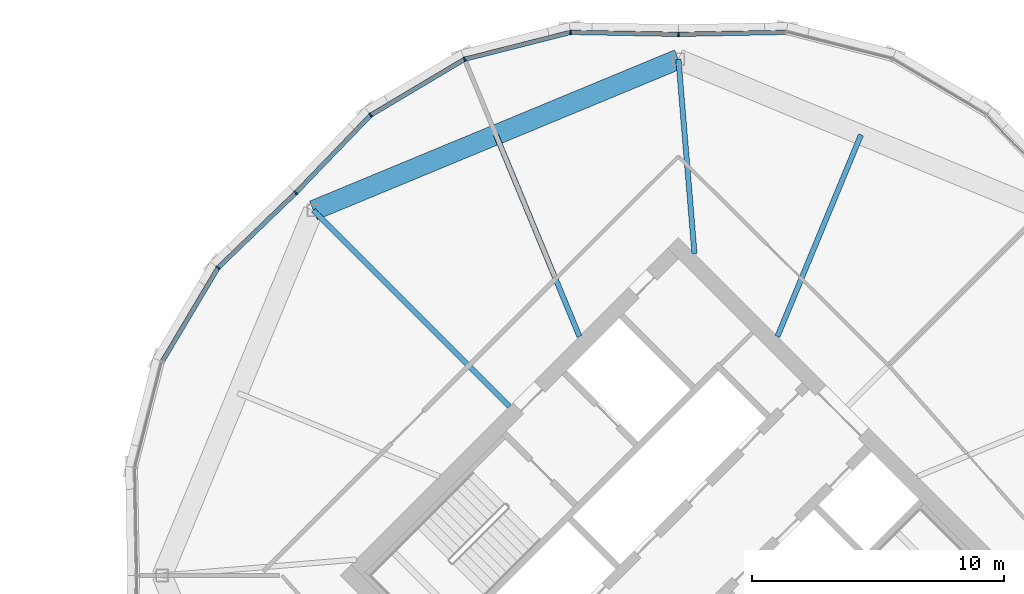
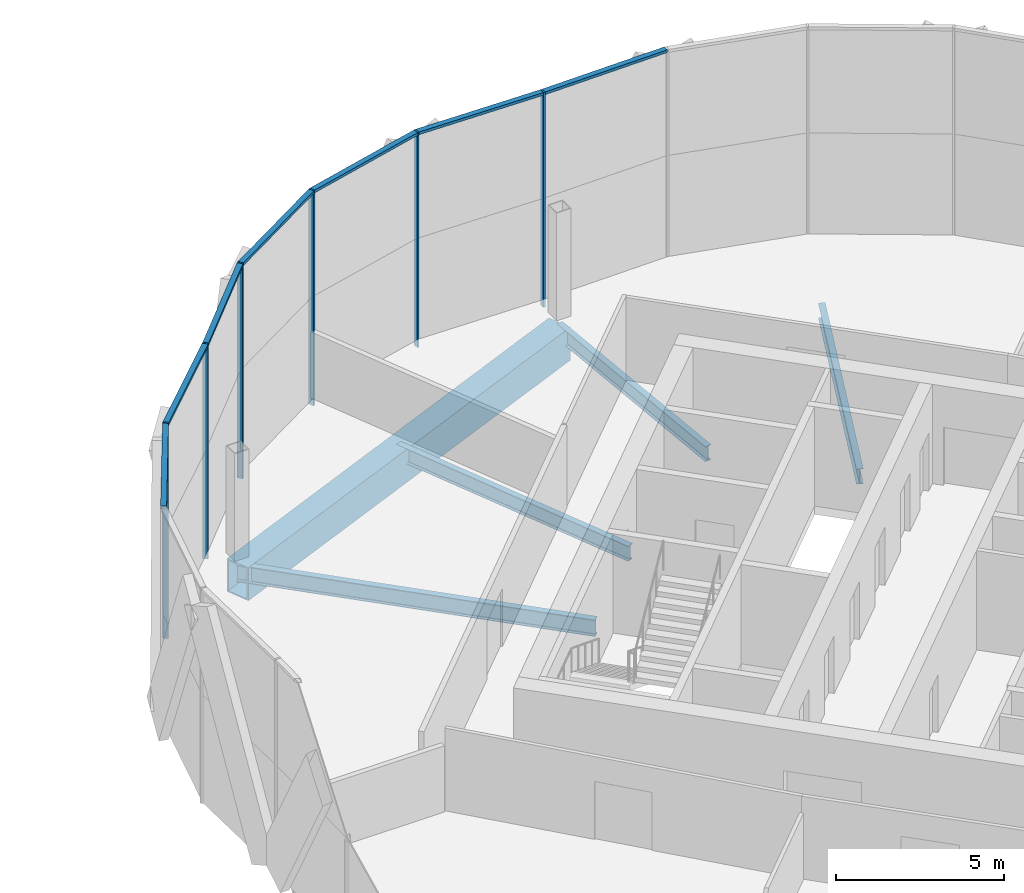
# One storey, part 14 of 27: 13 members, 5 beams, 3 elements without a shape of their own.
"""IFC4 building model written with IfcOpenShell, lengths in metres."""

from ifc_helpers import new_model, si_unit, direction, frame, origin, origin_2d, place, context, subcontext, project, spatial, rectangle, hollow_rectangle, i_section, extrude, material, material_profile, profile_set, type_object, element, aggregate, save


model = new_model("IFC4")

# Units and contexts
model_context = context("Model", 3, precision=1e-05, world=origin(), true_north=direction((0.0, 1.0)))
body_context = subcontext(model_context, "Body", "Model", "MODEL_VIEW")
ifc_project = project(units=[si_unit("LENGTHUNIT", "METRE"), si_unit("AREAUNIT", "SQUARE_METRE"), si_unit("VOLUMEUNIT", "CUBIC_METRE"), si_unit("PLANEANGLEUNIT", "RADIAN"), si_unit("MASSUNIT", "GRAM", prefix="KILO")], contexts=[model_context])

# Site, building, storey
site_placement = place(None, origin())
site = spatial("IfcSite", under=ifc_project, at=site_placement, CompositionType="ELEMENT")
building_placement = place(site_placement, origin())
building = spatial("IfcBuilding", under=site, at=building_placement, Name="Ogive Gate Towers", CompositionType="ELEMENT")
storey_placement = place(building_placement, frame((0.0, 0.0, 189.0)))
storey = spatial("IfcBuildingStorey", under=building, at=storey_placement, Name="L45", CompositionType="ELEMENT", Elevation=189.0)

# Beams
ifc_material_1 = material(Name="Steel SM460", Category="steel")
ifc_material_profile_1 = material_profile(ifc_material_1, hollow_rectangle(XDim=0.800048828125, YDim=1.199951171875, WallThickness=0.050048828125, at=origin_2d()), Name="BX 1200x800x50")
ifc_profile_set_1 = profile_set([ifc_material_profile_1], Name="Steel SM460")
beam_type_1 = type_object("IfcBeamType", Name="Edge girder BX 1200x800x50", PredefinedType="BEAM", material=ifc_profile_set_1)
beam_1_placement = place(storey_placement, frame((36.0, 20.52001953125, -0.89990234375), z_axis=(-0.923877006731, -0.38268953008, 0.0), x_axis=(0.38268953008, -0.923877006731, 0.0)))
element("IfcBeam", 1, at=beam_1_placement, inside=storey, type_object=beam_type_1, Name="T2/L45/SBM022", PredefinedType="BEAM", context=body_context, shape_type="SweptSolid", body=[
    extrude(hollow_rectangle(XDim=0.800048828125, YDim=1.199951171875, WallThickness=0.050048828125, at=origin_2d()), origin(), (0.0, 0.0, 1.0), 15.705322265625),
])
ifc_material_2 = material(Name="Steel SM355", Category="steel")
ifc_material_profile_2 = material_profile(ifc_material_2, i_section(OverallWidth=0.2099609375, OverallDepth=0.550048828125, WebThickness=0.010986328125, FlangeThickness=0.01708984375, FilletRadius=0.02392578125, at=origin_2d()), Name="IPE 550")
ifc_profile_set_2 = profile_set([ifc_material_profile_2], Name="Steel SM355")
beam_type_2 = type_object("IfcBeamType", Name="Radial floor beam IPE 550", PredefinedType="BEAM", material=ifc_profile_set_2)
beam_2_placement = place(storey_placement, frame((39.93505859375, 9.5, -0.574951171875), z_axis=(0.382678218882, 0.92388169199, 0.0), x_axis=(-0.92388169199, 0.382678218882, 0.0)))
element("IfcBeam", 2, at=beam_2_placement, inside=storey, type_object=beam_type_2, Name="T2/L45/SBM010", PredefinedType="BEAM", context=body_context, shape_type="SweptSolid", body=[
    extrude(i_section(OverallWidth=0.2099609375, OverallDepth=0.550048828125, WebThickness=0.010986328125, FlangeThickness=0.01708984375, FilletRadius=0.02392578125, at=origin_2d()), origin(), (0.0, 0.0, 1.0), 8.67529296875),
])
beam_3_placement = place(storey_placement, frame((36.636474609375, 12.798583984375, -0.574951171875), z_axis=(-0.082150949336, 0.996619898218, 0.0), x_axis=(-0.996619898218, -0.082150949336, 0.0)))
element("IfcBeam", 3, at=beam_3_placement, inside=storey, type_object=beam_type_2, Name="T2/L45/SBM011", PredefinedType="BEAM", context=body_context, shape_type="SweptSolid", body=[
    extrude(i_section(OverallWidth=0.2099609375, OverallDepth=0.550048828125, WebThickness=0.010986328125, FlangeThickness=0.01708984375, FilletRadius=0.02392578125, at=origin_2d()), origin(), (0.0, 0.0, 1.0), 7.74755859375),
])
beam_4_placement = place(storey_placement, frame((32.06494140625, 9.5, -0.574951171875), z_axis=(-0.382678218882, 0.92388169199, 0.0), x_axis=(-0.92388169199, -0.382678218882, 0.0)))
element("IfcBeam", 4, at=beam_4_placement, inside=storey, type_object=beam_type_2, Name="T2/L45/SBM012", PredefinedType="BEAM", context=body_context, shape_type="SweptSolid", body=[
    extrude(i_section(OverallWidth=0.2099609375, OverallDepth=0.550048828125, WebThickness=0.010986328125, FlangeThickness=0.01708984375, FilletRadius=0.02392578125, at=origin_2d()), origin(), (0.0, 0.0, 1.0), 8.67529296875),
])
ifc_material_profile_3 = material_profile(ifc_material_2, i_section(OverallWidth=0.219970703125, OverallDepth=0.60009765625, WebThickness=0.011962890625, FlangeThickness=0.01904296875, FilletRadius=0.02392578125, at=origin_2d()), Name="IPE 600")
ifc_profile_set_3 = profile_set([ifc_material_profile_3], Name="Steel SM355")
beam_type_3 = type_object("IfcBeamType", Name="Radial floor beam IPE 600", PredefinedType="BEAM", material=ifc_profile_set_3)
beam_5_placement = place(storey_placement, frame((29.282470703125, 6.717529296875, -0.60009765625), z_axis=(-0.707106781187, 0.707106781187, 0.0), x_axis=(-0.707106781187, -0.707106781187, 0.0)))
element("IfcBeam", 5, at=beam_5_placement, inside=storey, type_object=beam_type_3, Name="T2/L45/SBM013", PredefinedType="BEAM", context=body_context, shape_type="SweptSolid", body=[
    extrude(i_section(OverallWidth=0.219970703125, OverallDepth=0.60009765625, WebThickness=0.011962890625, FlangeThickness=0.01904296875, FilletRadius=0.02392578125, at=origin_2d()), origin(), (0.0, 0.0, 1.0), 11.019775390625),
])

# Curtain wall, member
ifc_material_3 = material(Name="Pale metal aluminium", Category="aluminium")
curtain_wall_type = type_object("IfcCurtainWallType", Name="Tower unitised wall, high zone", PredefinedType="NOTDEFINED", material=ifc_material_3)
curtain_wall_1_placement = place(storey_placement, origin())
curtain_wall_1 = element("IfcCurtainWall", 6, at=curtain_wall_1_placement, inside=storey, type_object=curtain_wall_type, Name="CW2 T2 ECW02", PredefinedType="NOTDEFINED")
ifc_material_profile_4 = material_profile(ifc_material_3, rectangle(XDim=0.179931640625, YDim=0.06005859375, at=origin_2d()), Name="60 x 180 aluminium box")
ifc_profile_set_4 = profile_set([ifc_material_profile_4], Name="Pale metal aluminium")
member_type_1 = type_object("IfcMemberType", Name="Tower unitised wall, high zone mullion 60 x 180", PredefinedType="MULLION", material=ifc_profile_set_4)
member_1_placement = place(storey_placement, frame((36.000244140625, 21.510009765625, -0.300048828125), z_axis=(0.0, 0.0, 1.0), x_axis=(-0.018412183135, 0.999830481388, 0.0)))
member_1 = element("IfcMember", 7, at=member_1_placement, type_object=member_type_1, Name="CW2 mullion", PredefinedType="MULLION", context=body_context, shape_type="SweptSolid", body=[
    extrude(rectangle(XDim=0.179931640625, YDim=0.06005859375, at=origin_2d()), origin(), (0.0, 0.0, 1.0), 7.800048828125),
])

# Curtain wall, members
curtain_wall_2_placement = place(storey_placement, origin())
curtain_wall_2 = element("IfcCurtainWall", 8, at=curtain_wall_2_placement, inside=storey, type_object=curtain_wall_type, Name="CW2 T2 ECW03", PredefinedType="NOTDEFINED")
member_2_placement = place(storey_placement, frame((31.713134765625, 21.589111328125, -0.300048828125), z_axis=(0.0, 0.0, 1.0), x_axis=(-0.114746434496, 0.993394813642, 0.0)))
member_2 = element("IfcMember", 9, at=member_2_placement, type_object=member_type_1, Name="CW2 mullion", PredefinedType="MULLION", context=body_context, shape_type="SweptSolid", body=[
    extrude(rectangle(XDim=0.179931640625, YDim=0.06005859375, at=origin_2d()), origin(), (0.0, 0.0, 1.0), 7.800048828125),
])
member_3_placement = place(storey_placement, frame((27.500244140625, 20.5205078125, -0.300048828125), z_axis=(0.0, 0.0, 1.0), x_axis=(-0.382683432365, 0.923879532511, 0.0)))
member_3 = element("IfcMember", 10, at=member_3_placement, type_object=member_type_1, Name="CW2 mullion", PredefinedType="MULLION", context=body_context, shape_type="SweptSolid", body=[
    extrude(rectangle(XDim=0.179931640625, YDim=0.06005859375, at=origin_2d()), origin(), (0.0, 0.0, 1.0), 7.800048828125),
])
member_4_placement = place(storey_placement, frame((23.765380859375, 18.297119140625, -0.300048828125), z_axis=(0.0, 0.0, 1.0), x_axis=(-0.621298227173, 0.783574191071, 0.0)))
member_4 = element("IfcMember", 11, at=member_4_placement, type_object=member_type_1, Name="CW2 mullion", PredefinedType="MULLION", context=body_context, shape_type="SweptSolid", body=[
    extrude(rectangle(XDim=0.179931640625, YDim=0.06005859375, at=origin_2d()), origin(), (0.0, 0.0, 1.0), 7.800048828125),
])
member_5_placement = place(storey_placement, frame((20.790283203125, 15.2099609375, -0.300048828125), z_axis=(0.0, 0.0, 1.0), x_axis=(-0.720030516576, 0.693942400491, 0.0)))
member_5 = element("IfcMember", 12, at=member_5_placement, type_object=member_type_1, Name="CW2 mullion", PredefinedType="MULLION", context=body_context, shape_type="SweptSolid", body=[
    extrude(rectangle(XDim=0.179931640625, YDim=0.06005859375, at=origin_2d()), origin(), (0.0, 0.0, 1.0), 7.800048828125),
])

# Curtain wall, member
curtain_wall_3_placement = place(storey_placement, origin())
curtain_wall_3 = element("IfcCurtainWall", 13, at=curtain_wall_3_placement, inside=storey, type_object=curtain_wall_type, Name="CW2 T2 ECW04", PredefinedType="NOTDEFINED")
member_6_placement = place(storey_placement, frame((17.702880859375, 12.234619140625, -0.300048828125), z_axis=(0.0, 0.0, 1.0), x_axis=(-0.783574191071, 0.621298227173, 0.0)))
member_6 = element("IfcMember", 14, at=member_6_placement, type_object=member_type_1, Name="CW2 mullion", PredefinedType="MULLION", context=body_context, shape_type="SweptSolid", body=[
    extrude(rectangle(XDim=0.179931640625, YDim=0.06005859375, at=origin_2d()), origin(), (0.0, 0.0, 1.0), 7.800048828125),
])

# Member
ifc_material_profile_5 = material_profile(ifc_material_3, rectangle(XDim=0.179931640625, YDim=0.10009765625, at=origin_2d()), Name="100 x 180 aluminium box")
ifc_profile_set_5 = profile_set([ifc_material_profile_5], Name="Pale metal aluminium")
member_type_2 = type_object("IfcMemberType", Name="Tower unitised wall, high zone transom 100 x 180", PredefinedType="USERDEFINED", material=ifc_profile_set_5)
member_7_placement = place(storey_placement, frame((40.25830078125, 21.58837890625, 7.449951171875), z_axis=(-0.999830392365, -0.018417016697, 0.0), x_axis=(0.018417016697, -0.999830392365, 0.0)))
member_7 = element("IfcMember", 15, at=member_7_placement, type_object=member_type_2, Name="CW2 transom", ObjectType="TRANSOM", PredefinedType="USERDEFINED", context=body_context, shape_type="SweptSolid", body=[
    extrude(rectangle(XDim=0.179931640625, YDim=0.10009765625, at=origin_2d()), origin(), (0.0, 0.0, 1.0), 4.228759765625),
])

aggregate(curtain_wall_1, [member_1, member_7])

member_8_placement = place(storey_placement, frame((35.9697265625, 21.510498046875, 7.449951171875), z_axis=(-0.999830392365, 0.018417016697, 0.0), x_axis=(-0.018417016697, -0.999830392365, 0.0)))
member_8 = element("IfcMember", 16, at=member_8_placement, type_object=member_type_2, Name="CW2 transom", ObjectType="TRANSOM", PredefinedType="USERDEFINED", context=body_context, shape_type="SweptSolid", body=[
    extrude(rectangle(XDim=0.179931640625, YDim=0.10009765625, at=origin_2d()), origin(), (0.0, 0.0, 1.0), 4.228759765625),
])

member_9_placement = place(storey_placement, frame((31.685302734375, 21.581787109375, 7.449951171875), z_axis=(-0.969309829434, -0.245842336798, 0.0), x_axis=(0.245842336798, -0.969309829434, 0.0)))
member_9 = element("IfcMember", 17, at=member_9_placement, type_object=member_type_2, Name="CW2 transom", ObjectType="TRANSOM", PredefinedType="USERDEFINED", context=body_context, shape_type="SweptSolid", body=[
    extrude(rectangle(XDim=0.179931640625, YDim=0.10009765625, at=origin_2d()), origin(), (0.0, 0.0, 1.0), 4.2890625),
])

member_10_placement = place(storey_placement, frame((27.4755859375, 20.505615234375, 7.449951171875), z_axis=(-0.859285736387, -0.511495868255, 0.0), x_axis=(0.511495868255, -0.859285736387, 0.0)))
member_10 = element("IfcMember", 18, at=member_10_placement, type_object=member_type_2, Name="CW2 transom", ObjectType="TRANSOM", PredefinedType="USERDEFINED", context=body_context, shape_type="SweptSolid", body=[
    extrude(rectangle(XDim=0.179931640625, YDim=0.10009765625, at=origin_2d()), origin(), (0.0, 0.0, 1.0), 4.2890625),
])

member_11_placement = place(storey_placement, frame((23.74560546875, 18.2763671875, 7.449951171875), z_axis=(-0.693967805182, -0.720006031483, 0.0), x_axis=(0.720006031483, -0.693967805182, 0.0)))
member_11 = element("IfcMember", 19, at=member_11_placement, type_object=member_type_2, Name="CW2 transom", ObjectType="TRANSOM", PredefinedType="USERDEFINED", context=body_context, shape_type="SweptSolid", body=[
    extrude(rectangle(XDim=0.179931640625, YDim=0.10009765625, at=origin_2d()), origin(), (0.0, 0.0, 1.0), 4.228759765625),
])

aggregate(curtain_wall_2, [member_2, member_8, member_3, member_9, member_4, member_10, member_5, member_11])

member_12_placement = place(storey_placement, frame((20.768310546875, 15.18896484375, 7.449951171875), z_axis=(-0.720006031483, -0.693967805182, 0.0), x_axis=(0.693967805182, -0.720006031483, 0.0)))
member_12 = element("IfcMember", 20, at=member_12_placement, type_object=member_type_2, Name="CW2 transom", ObjectType="TRANSOM", PredefinedType="USERDEFINED", context=body_context, shape_type="SweptSolid", body=[
    extrude(rectangle(XDim=0.179931640625, YDim=0.10009765625, at=origin_2d()), origin(), (0.0, 0.0, 1.0), 4.228759765625),
])

member_13_placement = place(storey_placement, frame((17.688232421875, 12.2099609375, 7.449951171875), z_axis=(-0.511495868255, -0.859285736387, 0.0), x_axis=(0.859285736387, -0.511495868255, 0.0)))
member_13 = element("IfcMember", 21, at=member_13_placement, type_object=member_type_2, Name="CW2 transom", ObjectType="TRANSOM", PredefinedType="USERDEFINED", context=body_context, shape_type="SweptSolid", body=[
    extrude(rectangle(XDim=0.179931640625, YDim=0.10009765625, at=origin_2d()), origin(), (0.0, 0.0, 1.0), 4.2890625),
])

aggregate(curtain_wall_3, [member_6, member_12, member_13])

save(model, "model.ifc")
